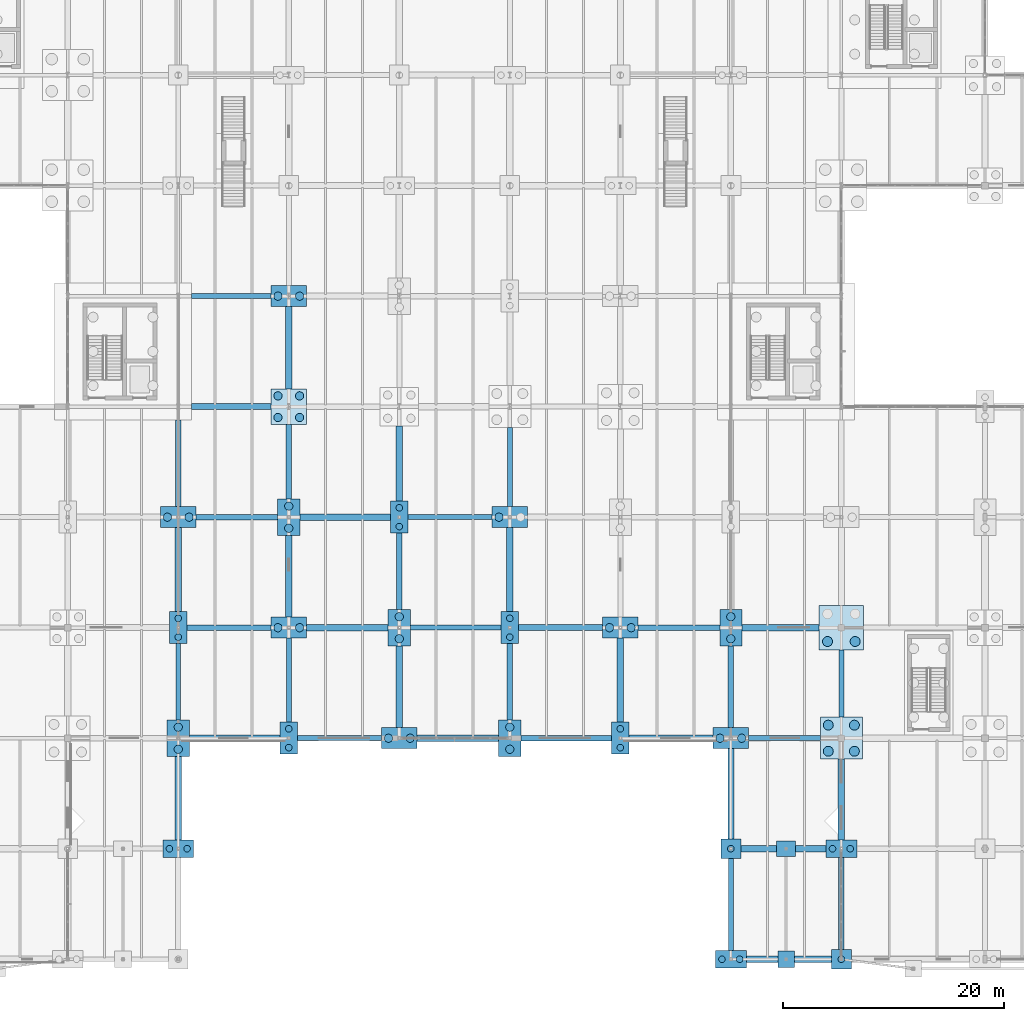
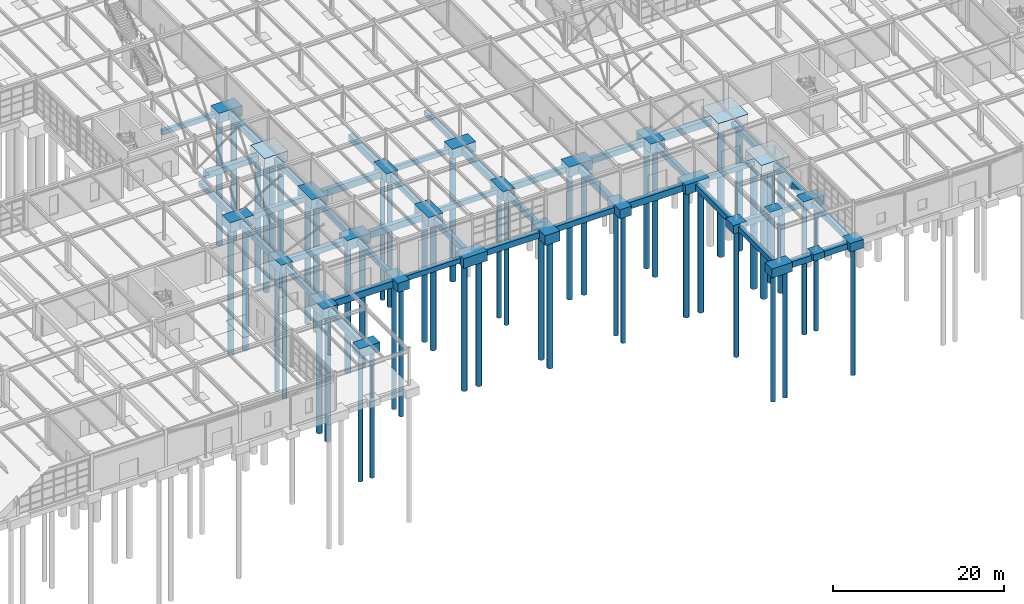
# One storey, part 3 of 145: 67 footings, 51 piles.
"""IFC4 building model written with IfcOpenShell, lengths in metres."""

from ifc_helpers import new_model, si_unit, direction, frame, origin, origin_2d, place, context, subcontext, project, spatial, rectangle, circle, extrude, material, material_profile, profile_set, type_object, element, save


model = new_model("IFC4")

# Units and contexts
model_context = context("Model", 3, precision=1e-05, world=origin(), true_north=direction((0.0, 1.0)))
body_context = subcontext(model_context, "Body", "Model", "MODEL_VIEW")
ifc_project = project(units=[si_unit("LENGTHUNIT", "METRE"), si_unit("AREAUNIT", "SQUARE_METRE"), si_unit("VOLUMEUNIT", "CUBIC_METRE"), si_unit("PLANEANGLEUNIT", "RADIAN"), si_unit("MASSUNIT", "GRAM", prefix="KILO"), si_unit("THERMODYNAMICTEMPERATUREUNIT", "KELVIN"), si_unit("POWERUNIT", "WATT")], contexts=[model_context])

# Site, building, storey
site_placement = place(None, origin())
site = spatial("IfcSite", under=ifc_project, at=site_placement, CompositionType="ELEMENT")
building_placement = place(site_placement, origin())
building = spatial("IfcBuilding", under=site, at=building_placement, Name="Korenveer Ferry Terminal", CompositionType="ELEMENT")
storey_placement = place(building_placement, origin())
storey = spatial("IfcBuildingStorey", under=building, at=storey_placement, Name="L00", CompositionType="ELEMENT", Elevation=0.0)

# Footings
ifc_material_1 = material(Name="Concrete C40/50", Category="concrete")
footing_type_1 = type_object("IfcFootingType", Name="STR-GB-01", PredefinedType="FOOTING_BEAM", material=ifc_material_1)
footing_1_placement = place(storey_placement, frame((98.10009765625, 20.0, -1.14990234375), z_axis=(0.0, 0.0, 1.0), x_axis=(1.0, 0.0, 0.0)))
element("IfcFooting", 1, at=footing_1_placement, inside=storey, type_object=footing_type_1, Name="Ground tie beam 32", PredefinedType="FOOTING_BEAM", context=body_context, shape_type="SweptSolid", body=[
    extrude(rectangle(XDim=8.199951171875, YDim=0.5, at=origin_2d()), origin(), (0.0, 0.0, 1.0), 0.800048828125),
])
footing_2_placement = place(storey_placement, frame((67.60009765625, 30.0, -1.14990234375), z_axis=(0.0, 0.0, 1.0), x_axis=(1.0, 0.0, 0.0)))
element("IfcFooting", 2, at=footing_2_placement, inside=storey, type_object=footing_type_1, Name="Ground tie beam 44", PredefinedType="FOOTING_BEAM", context=body_context, shape_type="SweptSolid", body=[
    extrude(rectangle(XDim=7.60009765625, YDim=0.5, at=origin_2d()), origin(), (0.0, 0.0, 1.0), 0.800048828125),
])
for number, where, z_axis, x_axis, name in (
    (3, (108.300048828125, 30.0, -1.14990234375), (0.0, 0.0, 1.0), (1.0, 0.0, 0.0), "Ground tie beam 48"),
    (4, (68.300048828125, 40.0, -1.14990234375), (0.0, 0.0, 1.0), (1.0, 0.0, 0.0), "Ground tie beam 60"),
):
    element("IfcFooting", number, at=place(storey_placement, frame(where, z_axis=z_axis, x_axis=x_axis)), inside=storey, type_object=footing_type_1, Name=name, PredefinedType="FOOTING_BEAM", context=body_context, shape_type="SweptSolid", body=[
        extrude(rectangle(XDim=7.39990234375, YDim=0.5, at=origin_2d()), origin(), (0.0, 0.0, 1.0), 0.800048828125),
    ])
footing_3_placement = place(storey_placement, frame((63.0, 44.875, -1.14990234375), z_axis=(0.0, 0.0, 1.0), x_axis=(1.0, 0.0, 0.0)))
element("IfcFooting", 5, at=footing_3_placement, inside=storey, type_object=footing_type_1, Name="Ground tie beam 200", PredefinedType="FOOTING_BEAM", context=body_context, shape_type="SweptSolid", body=[
    extrude(rectangle(XDim=0.5, YDim=7.85009765625, at=origin_2d()), origin(), (0.0, 0.0, 1.0), 0.800048828125),
])
footing_4_placement = place(storey_placement, frame((73.0, 45.02490234375, -1.14990234375), z_axis=(0.0, 0.0, 1.0), x_axis=(1.0, 0.0, 0.0)))
element("IfcFooting", 6, at=footing_4_placement, inside=storey, type_object=footing_type_1, Name="Ground tie beam 208", PredefinedType="FOOTING_BEAM", context=body_context, shape_type="SweptSolid", body=[
    extrude(rectangle(XDim=0.5, YDim=6.75, at=origin_2d()), origin(), (0.0, 0.0, 1.0), 0.800048828125),
])
for number, where, z_axis, x_axis, name in (
    (7, (83.0, 35.10009765625, -1.14990234375), (0.0, 0.0, 1.0), (1.0, 0.0, 0.0), "Ground tie beam 216"),
    (8, (93.0, 25.10009765625, -1.14990234375), (0.0, 0.0, 1.0), (1.0, 0.0, 0.0), "Ground tie beam 224"),
):
    element("IfcFooting", number, at=place(storey_placement, frame(where, z_axis=z_axis, x_axis=x_axis)), inside=storey, type_object=footing_type_1, Name=name, PredefinedType="FOOTING_BEAM", context=body_context, shape_type="SweptSolid", body=[
        extrude(rectangle(XDim=0.5, YDim=6.89990234375, at=origin_2d()), origin(), (0.0, 0.0, 1.0), 0.800048828125),
    ])
footing_5_placement = place(storey_placement, frame((113.0, 24.64990234375, -1.14990234375), z_axis=(0.0, 0.0, 1.0), x_axis=(1.0, 0.0, 0.0)))
element("IfcFooting", 9, at=footing_5_placement, inside=storey, type_object=footing_type_1, Name="Ground tie beam 244", PredefinedType="FOOTING_BEAM", context=body_context, shape_type="SweptSolid", body=[
    extrude(rectangle(XDim=0.5, YDim=7.39990234375, at=origin_2d()), origin(), (0.0, 0.0, 1.0), 0.800048828125),
])
footing_6_placement = place(storey_placement, frame((123.0, 5.050048828125, -1.14990234375), z_axis=(0.0, 0.0, 1.0), x_axis=(1.0, 0.0, 0.0)))
element("IfcFooting", 10, at=footing_6_placement, inside=storey, type_object=footing_type_1, Name="Ground tie beam 252", PredefinedType="FOOTING_BEAM", context=body_context, shape_type="SweptSolid", body=[
    extrude(rectangle(XDim=0.5, YDim=8.300048828125, at=origin_2d()), origin(), (0.0, 0.0, 1.0), 0.800048828125),
])
footing_type_2 = type_object("IfcFootingType", Name="STR-GB-02", PredefinedType="FOOTING_BEAM", material=ifc_material_1)
footing_7_placement = place(storey_placement, frame((68.10009765625, 20.0, -1.2998046875), z_axis=(0.0, 0.0, 1.0), x_axis=(1.0, 0.0, 0.0)))
element("IfcFooting", 11, at=footing_7_placement, inside=storey, type_object=footing_type_2, Name="Ground tie beam 29", PredefinedType="FOOTING_BEAM", context=body_context, shape_type="SweptSolid", body=[
    extrude(rectangle(XDim=8.199951171875, YDim=0.60009765625, at=origin_2d()), origin(), (0.0, 0.0, 1.0), 0.949951171875),
])
footing_8_placement = place(storey_placement, frame((107.60009765625, 20.0, -1.2998046875), z_axis=(0.0, 0.0, 1.0), x_axis=(1.0, 0.0, 0.0)))
element("IfcFooting", 12, at=footing_8_placement, inside=storey, type_object=footing_type_2, Name="Ground tie beam 33", PredefinedType="FOOTING_BEAM", context=body_context, shape_type="SweptSolid", body=[
    extrude(rectangle(XDim=7.60009765625, YDim=0.60009765625, at=origin_2d()), origin(), (0.0, 0.0, 1.0), 0.949951171875),
])
footing_9_placement = place(storey_placement, frame((78.300048828125, 30.0, -1.2998046875), z_axis=(0.0, 0.0, 1.0), x_axis=(1.0, 0.0, 0.0)))
element("IfcFooting", 13, at=footing_9_placement, inside=storey, type_object=footing_type_2, Name="Ground tie beam 45", PredefinedType="FOOTING_BEAM", context=body_context, shape_type="SweptSolid", body=[
    extrude(rectangle(XDim=7.39990234375, YDim=0.60009765625, at=origin_2d()), origin(), (0.0, 0.0, 1.0), 0.949951171875),
])
footing_10_placement = place(storey_placement, frame((117.5, 30.0, -1.2998046875), z_axis=(0.0, 0.0, 1.0), x_axis=(1.0, 0.0, 0.0)))
element("IfcFooting", 14, at=footing_10_placement, inside=storey, type_object=footing_type_2, Name="Ground tie beam 49", PredefinedType="FOOTING_BEAM", context=body_context, shape_type="SweptSolid", body=[
    extrude(rectangle(XDim=7.0, YDim=0.60009765625, at=origin_2d()), origin(), (0.0, 0.0, 1.0), 0.949951171875),
])
footing_11_placement = place(storey_placement, frame((78.10009765625, 40.0, -1.2998046875), z_axis=(0.0, 0.0, 1.0), x_axis=(1.0, 0.0, 0.0)))
element("IfcFooting", 15, at=footing_11_placement, inside=storey, type_object=footing_type_2, Name="Ground tie beam 61", PredefinedType="FOOTING_BEAM", context=body_context, shape_type="SweptSolid", body=[
    extrude(rectangle(XDim=8.199951171875, YDim=0.60009765625, at=origin_2d()), origin(), (0.0, 0.0, 1.0), 0.949951171875),
])
footing_12_placement = place(storey_placement, frame((63.0, 14.574951171875, -1.2998046875), z_axis=(0.0, 0.0, 1.0), x_axis=(1.0, 0.0, 0.0)))
element("IfcFooting", 16, at=footing_12_placement, inside=storey, type_object=footing_type_2, Name="Ground tie beam 197", PredefinedType="FOOTING_BEAM", context=body_context, shape_type="SweptSolid", body=[
    extrude(rectangle(XDim=0.60009765625, YDim=7.550048828125, at=origin_2d()), origin(), (0.0, 0.0, 1.0), 0.949951171875),
])
footing_13_placement = place(storey_placement, frame((73.0, 55.324951171875, -1.2998046875), z_axis=(0.0, 0.0, 1.0), x_axis=(1.0, 0.0, 0.0)))
element("IfcFooting", 17, at=footing_13_placement, inside=storey, type_object=footing_type_2, Name="Ground tie beam 209", PredefinedType="FOOTING_BEAM", context=body_context, shape_type="SweptSolid", body=[
    extrude(rectangle(XDim=0.60009765625, YDim=7.449951171875, at=origin_2d()), origin(), (0.0, 0.0, 1.0), 0.949951171875),
])
footing_14_placement = place(storey_placement, frame((83.0, 44.85009765625, -1.2998046875), z_axis=(0.0, 0.0, 1.0), x_axis=(1.0, 0.0, 0.0)))
element("IfcFooting", 18, at=footing_14_placement, inside=storey, type_object=footing_type_2, Name="Ground tie beam 217", PredefinedType="FOOTING_BEAM", context=body_context, shape_type="SweptSolid", body=[
    extrude(rectangle(XDim=0.60009765625, YDim=6.800048828125, at=origin_2d()), origin(), (0.0, 0.0, 1.0), 0.949951171875),
])
for number, where, z_axis, x_axis, name in (
    (19, (93.0, 35.25, -1.2998046875), (0.0, 0.0, 1.0), (1.0, 0.0, 0.0), "Ground tie beam 225"),
    (20, (103.0, 25.25, -1.2998046875), (0.0, 0.0, 1.0), (1.0, 0.0, 0.0), "Ground tie beam 233"),
):
    element("IfcFooting", number, at=place(storey_placement, frame(where, z_axis=z_axis, x_axis=x_axis)), inside=storey, type_object=footing_type_2, Name=name, PredefinedType="FOOTING_BEAM", context=body_context, shape_type="SweptSolid", body=[
        extrude(rectangle(XDim=0.60009765625, YDim=7.60009765625, at=origin_2d()), origin(), (0.0, 0.0, 1.0), 0.949951171875),
    ])
footing_15_placement = place(storey_placement, frame((123.0, 14.449951171875, -1.2998046875), z_axis=(0.0, 0.0, 1.0), x_axis=(1.0, 0.0, 0.0)))
element("IfcFooting", 21, at=footing_15_placement, inside=storey, type_object=footing_type_2, Name="Ground tie beam 253", PredefinedType="FOOTING_BEAM", context=body_context, shape_type="SweptSolid", body=[
    extrude(rectangle(XDim=0.60009765625, YDim=7.300048828125, at=origin_2d()), origin(), (0.0, 0.0, 1.0), 0.949951171875),
])
footing_type_3 = type_object("IfcFootingType", Name="STR-GB-03", PredefinedType="FOOTING_BEAM", material=ifc_material_1)
footing_16_placement = place(storey_placement, frame((77.60009765625, 20.0, -1.0498046875), z_axis=(0.0, 0.0, 1.0), x_axis=(1.0, 0.0, 0.0)))
element("IfcFooting", 22, at=footing_16_placement, inside=storey, type_object=footing_type_3, Name="Ground tie beam 30", PredefinedType="FOOTING_BEAM", context=body_context, shape_type="SweptSolid", body=[
    extrude(rectangle(XDim=7.60009765625, YDim=0.449951171875, at=origin_2d()), origin(), (0.0, 0.0, 1.0), 0.699951171875),
])
footing_17_placement = place(storey_placement, frame((117.85009765625, 20.0, -1.0498046875), z_axis=(0.0, 0.0, 1.0), x_axis=(1.0, 0.0, 0.0)))
element("IfcFooting", 23, at=footing_17_placement, inside=storey, type_object=footing_type_3, Name="Ground tie beam 34", PredefinedType="FOOTING_BEAM", context=body_context, shape_type="SweptSolid", body=[
    extrude(rectangle(XDim=6.5, YDim=0.449951171875, at=origin_2d()), origin(), (0.0, 0.0, 1.0), 0.699951171875),
])
footing_18_placement = place(storey_placement, frame((88.10009765625, 30.0, -1.0498046875), z_axis=(0.0, 0.0, 1.0), x_axis=(1.0, 0.0, 0.0)))
element("IfcFooting", 24, at=footing_18_placement, inside=storey, type_object=footing_type_3, Name="Ground tie beam 46", PredefinedType="FOOTING_BEAM", context=body_context, shape_type="SweptSolid", body=[
    extrude(rectangle(XDim=8.199951171875, YDim=0.449951171875, at=origin_2d()), origin(), (0.0, 0.0, 1.0), 0.699951171875),
])
footing_19_placement = place(storey_placement, frame((87.60009765625, 40.0, -1.0498046875), z_axis=(0.0, 0.0, 1.0), x_axis=(1.0, 0.0, 0.0)))
element("IfcFooting", 25, at=footing_19_placement, inside=storey, type_object=footing_type_3, Name="Ground tie beam 62", PredefinedType="FOOTING_BEAM", context=body_context, shape_type="SweptSolid", body=[
    extrude(rectangle(XDim=7.60009765625, YDim=0.449951171875, at=origin_2d()), origin(), (0.0, 0.0, 1.0), 0.699951171875),
])
footing_20_placement = place(storey_placement, frame((67.800048828125, 60.0, -1.0498046875), z_axis=(0.0, 0.0, 1.0), x_axis=(1.0, 0.0, 0.0)))
element("IfcFooting", 26, at=footing_20_placement, inside=storey, type_object=footing_type_3, Name="Ground tie beam 86", PredefinedType="FOOTING_BEAM", context=body_context, shape_type="SweptSolid", body=[
    extrude(rectangle(XDim=7.199951171875, YDim=0.449951171875, at=origin_2d()), origin(), (0.0, 0.0, 1.0), 0.699951171875),
])
footing_21_placement = place(storey_placement, frame((63.0, 25.10009765625, -1.0498046875), z_axis=(0.0, 0.0, 1.0), x_axis=(1.0, 0.0, 0.0)))
element("IfcFooting", 27, at=footing_21_placement, inside=storey, type_object=footing_type_3, Name="Ground tie beam 198", PredefinedType="FOOTING_BEAM", context=body_context, shape_type="SweptSolid", body=[
    extrude(rectangle(XDim=0.449951171875, YDim=6.89990234375, at=origin_2d()), origin(), (0.0, 0.0, 1.0), 0.699951171875),
])
footing_22_placement = place(storey_placement, frame((73.0, 25.25, -1.0498046875), z_axis=(0.0, 0.0, 1.0), x_axis=(1.0, 0.0, 0.0)))
element("IfcFooting", 28, at=footing_22_placement, inside=storey, type_object=footing_type_3, Name="Ground tie beam 206", PredefinedType="FOOTING_BEAM", context=body_context, shape_type="SweptSolid", body=[
    extrude(rectangle(XDim=0.449951171875, YDim=7.60009765625, at=origin_2d()), origin(), (0.0, 0.0, 1.0), 0.699951171875),
])
footing_23_placement = place(storey_placement, frame((93.0, 44.52490234375, -1.0498046875), z_axis=(0.0, 0.0, 1.0), x_axis=(1.0, 0.0, 0.0)))
element("IfcFooting", 29, at=footing_23_placement, inside=storey, type_object=footing_type_3, Name="Ground tie beam 226", PredefinedType="FOOTING_BEAM", context=body_context, shape_type="SweptSolid", body=[
    extrude(rectangle(XDim=0.449951171875, YDim=7.14990234375, at=origin_2d()), origin(), (0.0, 0.0, 1.0), 0.699951171875),
])
footing_24_placement = place(storey_placement, frame((113.0, 4.949951171875, -1.0498046875), z_axis=(0.0, 0.0, 1.0), x_axis=(1.0, 0.0, 0.0)))
element("IfcFooting", 30, at=footing_24_placement, inside=storey, type_object=footing_type_3, Name="Ground tie beam 242", PredefinedType="FOOTING_BEAM", context=body_context, shape_type="SweptSolid", body=[
    extrude(rectangle(XDim=0.449951171875, YDim=8.300048828125, at=origin_2d()), origin(), (0.0, 0.0, 1.0), 0.699951171875),
])
footing_25_placement = place(storey_placement, frame((123.0, 24.949951171875, -1.0498046875), z_axis=(0.0, 0.0, 1.0), x_axis=(1.0, 0.0, 0.0)))
element("IfcFooting", 31, at=footing_25_placement, inside=storey, type_object=footing_type_3, Name="Ground tie beam 254", PredefinedType="FOOTING_BEAM", context=body_context, shape_type="SweptSolid", body=[
    extrude(rectangle(XDim=0.449951171875, YDim=6.10009765625, at=origin_2d()), origin(), (0.0, 0.0, 1.0), 0.699951171875),
])
footing_type_4 = type_object("IfcFootingType", Name="STR-GB-04", PredefinedType="FOOTING_BEAM", material=ifc_material_1)
for number, where, z_axis, x_axis, name in (
    (32, (118.25, 0.0, -1.199951171875), (0.0, 0.0, 1.0), (1.0, 0.0, 0.0), "Ground tie beam 7"),
    (33, (117.75, 10.0, -1.199951171875), (0.0, 0.0, 1.0), (1.0, 0.0, 0.0), "Ground tie beam 19"),
):
    element("IfcFooting", number, at=place(storey_placement, frame(where, z_axis=z_axis, x_axis=x_axis)), inside=storey, type_object=footing_type_4, Name=name, PredefinedType="FOOTING_BEAM", context=body_context, shape_type="SweptSolid", body=[
        extrude(rectangle(XDim=7.699951171875, YDim=0.550048828125, at=origin_2d()), origin(), (0.0, 0.0, 1.0), 0.85009765625),
    ])
footing_26_placement = place(storey_placement, frame((88.300048828125, 20.0, -1.199951171875), z_axis=(0.0, 0.0, 1.0), x_axis=(1.0, 0.0, 0.0)))
element("IfcFooting", 34, at=footing_26_placement, inside=storey, type_object=footing_type_4, Name="Ground tie beam 31", PredefinedType="FOOTING_BEAM", context=body_context, shape_type="SweptSolid", body=[
    extrude(rectangle(XDim=7.39990234375, YDim=0.550048828125, at=origin_2d()), origin(), (0.0, 0.0, 1.0), 0.85009765625),
])
footing_27_placement = place(storey_placement, frame((97.60009765625, 30.0, -1.199951171875), z_axis=(0.0, 0.0, 1.0), x_axis=(1.0, 0.0, 0.0)))
element("IfcFooting", 35, at=footing_27_placement, inside=storey, type_object=footing_type_4, Name="Ground tie beam 47", PredefinedType="FOOTING_BEAM", context=body_context, shape_type="SweptSolid", body=[
    extrude(rectangle(XDim=7.60009765625, YDim=0.550048828125, at=origin_2d()), origin(), (0.0, 0.0, 1.0), 0.85009765625),
])
footing_28_placement = place(storey_placement, frame((67.800048828125, 50.0, -1.199951171875), z_axis=(0.0, 0.0, 1.0), x_axis=(1.0, 0.0, 0.0)))
element("IfcFooting", 36, at=footing_28_placement, inside=storey, type_object=footing_type_4, Name="Ground tie beam 75", PredefinedType="FOOTING_BEAM", context=body_context, shape_type="SweptSolid", body=[
    extrude(rectangle(XDim=7.199951171875, YDim=0.550048828125, at=origin_2d()), origin(), (0.0, 0.0, 1.0), 0.85009765625),
])
footing_29_placement = place(storey_placement, frame((63.0, 35.25, -1.199951171875), z_axis=(0.0, 0.0, 1.0), x_axis=(1.0, 0.0, 0.0)))
element("IfcFooting", 37, at=footing_29_placement, inside=storey, type_object=footing_type_4, Name="Ground tie beam 199", PredefinedType="FOOTING_BEAM", context=body_context, shape_type="SweptSolid", body=[
    extrude(rectangle(XDim=0.550048828125, YDim=7.60009765625, at=origin_2d()), origin(), (0.0, 0.0, 1.0), 0.85009765625),
])
for number, where, z_axis, x_axis, name in (
    (38, (73.0, 34.64990234375, -1.199951171875), (0.0, 0.0, 1.0), (1.0, 0.0, 0.0), "Ground tie beam 207"),
    (39, (83.0, 24.64990234375, -1.199951171875), (0.0, 0.0, 1.0), (1.0, 0.0, 0.0), "Ground tie beam 215"),
):
    element("IfcFooting", number, at=place(storey_placement, frame(where, z_axis=z_axis, x_axis=x_axis)), inside=storey, type_object=footing_type_4, Name=name, PredefinedType="FOOTING_BEAM", context=body_context, shape_type="SweptSolid", body=[
        extrude(rectangle(XDim=0.550048828125, YDim=7.39990234375, at=origin_2d()), origin(), (0.0, 0.0, 1.0), 0.85009765625),
    ])
footing_30_placement = place(storey_placement, frame((113.0, 14.97509765625, -1.199951171875), z_axis=(0.0, 0.0, 1.0), x_axis=(1.0, 0.0, 0.0)))
element("IfcFooting", 40, at=footing_30_placement, inside=storey, type_object=footing_type_4, Name="Ground tie beam 243", PredefinedType="FOOTING_BEAM", context=body_context, shape_type="SweptSolid", body=[
    extrude(rectangle(XDim=0.550048828125, YDim=8.14990234375, at=origin_2d()), origin(), (0.0, 0.0, 1.0), 0.85009765625),
])
ifc_material_2 = material(Name="Concrete C45/55", Category="concrete")
footing_type_5 = type_object("IfcFootingType", Name="STR-PC-01", PredefinedType="PILE_CAP", material=ifc_material_2)
for number, where, z_axis, x_axis, name in (
    (41, (113.0, 10.0, -1.2001953125), (0.0, 0.0, 1.0), (1.0, 0.0, 0.0), "Pile cap PC-01 at (113,10)"),
    (42, (123.0, 0.0, -1.2001953125), (0.0, 0.0, 1.0), (1.0, 0.0, 0.0), "Pile cap PC-01 at (123,0)"),
):
    element("IfcFooting", number, at=place(storey_placement, frame(where, z_axis=z_axis, x_axis=x_axis)), inside=storey, type_object=footing_type_5, Name=name, PredefinedType="PILE_CAP", context=body_context, shape_type="SweptSolid", body=[
        extrude(rectangle(XDim=1.800048828125, YDim=1.800048828125, at=origin_2d()), origin(), (0.0, 0.0, 1.0), 1.199951171875),
    ])
footing_type_6 = type_object("IfcFootingType", Name="STR-PC-02", PredefinedType="PILE_CAP", material=ifc_material_2)
for number, where, z_axis, x_axis, name in (
    (43, (63.0, 10.0, -1.2998046875), (0.0, 0.0, 1.0), (1.0, 0.0, 0.0), "Pile cap PC-02 at (63,10)"),
    (44, (113.0, 0.0, -1.2998046875), (0.0, 0.0, 1.0), (1.0, 0.0, 0.0), "Pile cap PC-02 at (113,0)"),
    (45, (123.0, 10.0, -1.2998046875), (0.0, 0.0, 1.0), (1.0, 0.0, 0.0), "Pile cap PC-02 at (123,10)"),
):
    element("IfcFooting", number, at=place(storey_placement, frame(where, z_axis=z_axis, x_axis=x_axis)), inside=storey, type_object=footing_type_6, Name=name, PredefinedType="PILE_CAP", context=body_context, shape_type="SweptSolid", body=[
        extrude(rectangle(XDim=2.800048828125, YDim=1.60009765625, at=origin_2d()), origin(), (0.0, 0.0, 1.0), 1.300048828125),
    ])
footing_type_7 = type_object("IfcFootingType", Name="STR-PC-03", PredefinedType="PILE_CAP", material=ifc_material_2)
for number, where, z_axis, x_axis, name in (
    (46, (63.0, 30.0, -1.2998046875), (0.0, 0.0, 1.0), (1.0, 0.0, 0.0), "Pile cap PC-03 at (63,30)"),
    (47, (73.0, 20.0, -1.2998046875), (0.0, 0.0, 1.0), (1.0, 0.0, 0.0), "Pile cap PC-03 at (73,20)"),
    (48, (83.0, 40.0, -1.2998046875), (0.0, 0.0, 1.0), (1.0, 0.0, 0.0), "Pile cap PC-03 at (83,40)"),
    (49, (93.0, 30.0, -1.2998046875), (0.0, 0.0, 1.0), (1.0, 0.0, 0.0), "Pile cap PC-03 at (93,30)"),
    (50, (103.0, 20.0, -1.2998046875), (0.0, 0.0, 1.0), (1.0, 0.0, 0.0), "Pile cap PC-03 at (103,20)"),
):
    element("IfcFooting", number, at=place(storey_placement, frame(where, z_axis=z_axis, x_axis=x_axis)), inside=storey, type_object=footing_type_7, Name=name, PredefinedType="PILE_CAP", context=body_context, shape_type="SweptSolid", body=[
        extrude(rectangle(XDim=1.60009765625, YDim=2.89990234375, at=origin_2d()), origin(), (0.0, 0.0, 1.0), 1.300048828125),
    ])
footing_type_8 = type_object("IfcFootingType", Name="STR-PC-04", PredefinedType="PILE_CAP", material=ifc_material_2)
for number, where, z_axis, x_axis, name in (
    (51, (63.0, 40.0, -1.39990234375), (0.0, 0.0, 1.0), (1.0, 0.0, 0.0), "Pile cap PC-04 at (63,40)"),
    (52, (73.0, 30.0, -1.39990234375), (0.0, 0.0, 1.0), (1.0, 0.0, 0.0), "Pile cap PC-04 at (73,30)"),
    (53, (73.0, 60.0, -1.39990234375), (0.0, 0.0, 1.0), (1.0, 0.0, 0.0), "Pile cap PC-04 at (73,60)"),
    (54, (83.0, 20.0, -1.39990234375), (0.0, 0.0, 1.0), (1.0, 0.0, 0.0), "Pile cap PC-04 at (83,20)"),
    (55, (93.0, 40.0, -1.39990234375), (0.0, 0.0, 1.0), (1.0, 0.0, 0.0), "Pile cap PC-04 at (93,40)"),
    (56, (103.0, 30.0, -1.39990234375), (0.0, 0.0, 1.0), (1.0, 0.0, 0.0), "Pile cap PC-04 at (103,30)"),
    (57, (113.0, 20.0, -1.39990234375), (0.0, 0.0, 1.0), (1.0, 0.0, 0.0), "Pile cap PC-04 at (113,20)"),
):
    element("IfcFooting", number, at=place(storey_placement, frame(where, z_axis=z_axis, x_axis=x_axis)), inside=storey, type_object=footing_type_8, Name=name, PredefinedType="PILE_CAP", context=body_context, shape_type="SweptSolid", body=[
        extrude(rectangle(XDim=3.199951171875, YDim=1.89990234375, at=origin_2d()), origin(), (0.0, 0.0, 1.0), 1.39990234375),
    ])
footing_type_9 = type_object("IfcFootingType", Name="STR-PC-05", PredefinedType="PILE_CAP", material=ifc_material_2)
for number, where, z_axis, x_axis, name in (
    (58, (63.0, 20.0, -1.39990234375), (0.0, 0.0, 1.0), (1.0, 0.0, 0.0), "Pile cap PC-05 at (63,20)"),
    (59, (73.0, 40.0, -1.39990234375), (0.0, 0.0, 1.0), (1.0, 0.0, 0.0), "Pile cap PC-05 at (73,40)"),
    (60, (83.0, 30.0, -1.39990234375), (0.0, 0.0, 1.0), (1.0, 0.0, 0.0), "Pile cap PC-05 at (83,30)"),
    (61, (93.0, 20.0, -1.39990234375), (0.0, 0.0, 1.0), (1.0, 0.0, 0.0), "Pile cap PC-05 at (93,20)"),
    (62, (113.0, 30.0, -1.39990234375), (0.0, 0.0, 1.0), (1.0, 0.0, 0.0), "Pile cap PC-05 at (113,30)"),
):
    element("IfcFooting", number, at=place(storey_placement, frame(where, z_axis=z_axis, x_axis=x_axis)), inside=storey, type_object=footing_type_9, Name=name, PredefinedType="PILE_CAP", context=body_context, shape_type="SweptSolid", body=[
        extrude(rectangle(XDim=2.0, YDim=3.300048828125, at=origin_2d()), origin(), (0.0, 0.0, 1.0), 1.39990234375),
    ])
footing_type_10 = type_object("IfcFootingType", Name="STR-PC-06", PredefinedType="PILE_CAP", material=ifc_material_2)
footing_31_placement = place(storey_placement, frame((73.0, 50.0, -1.39990234375), z_axis=(0.0, 0.0, 1.0), x_axis=(1.0, 0.0, 0.0)))
element("IfcFooting", 63, at=footing_31_placement, inside=storey, type_object=footing_type_10, Name="Pile cap PC-06 at (73,50)", PredefinedType="PILE_CAP", context=body_context, shape_type="SweptSolid", body=[
    extrude(rectangle(XDim=3.199951171875, YDim=3.199951171875, at=origin_2d()), origin(), (0.0, 0.0, 1.0), 1.39990234375),
])
footing_type_11 = type_object("IfcFootingType", Name="STR-PC-08", PredefinedType="PILE_CAP", material=ifc_material_2)
footing_32_placement = place(storey_placement, frame((123.0, 20.0, -1.5), z_axis=(0.0, 0.0, 1.0), x_axis=(1.0, 0.0, 0.0)))
element("IfcFooting", 64, at=footing_32_placement, inside=storey, type_object=footing_type_11, Name="Pile cap PC-08 at (123,20)", PredefinedType="PILE_CAP", context=body_context, shape_type="SweptSolid", body=[
    extrude(rectangle(XDim=3.800048828125, YDim=3.800048828125, at=origin_2d()), origin(), (0.0, 0.0, 1.0), 1.5),
])
footing_type_12 = type_object("IfcFootingType", Name="STR-PC-09", PredefinedType="PILE_CAP", material=ifc_material_2)
footing_33_placement = place(storey_placement, frame((123.0, 30.0, -1.5498046875), z_axis=(0.0, 0.0, 1.0), x_axis=(1.0, 0.0, 0.0)))
element("IfcFooting", 65, at=footing_33_placement, inside=storey, type_object=footing_type_12, Name="Pile cap PC-09 at (123,30)", PredefinedType="PILE_CAP", context=body_context, shape_type="SweptSolid", body=[
    extrude(rectangle(XDim=4.0, YDim=4.0, at=origin_2d()), origin(), (0.0, 0.0, 1.0), 1.550048828125),
])
footing_type_13 = type_object("IfcFootingType", Name="STR-PF-01", PredefinedType="PAD_FOOTING", material=ifc_material_2)
footing_34_placement = place(storey_placement, frame((118.0, 0.0, -0.89990234375), z_axis=(0.0, 0.0, 1.0), x_axis=(1.0, 0.0, 0.0)))
element("IfcFooting", 66, at=footing_34_placement, inside=storey, type_object=footing_type_13, Name="Colonnade pad footing 5", PredefinedType="PAD_FOOTING", context=body_context, shape_type="SweptSolid", body=[
    extrude(rectangle(XDim=1.5, YDim=1.5, at=origin_2d()), origin(), (0.0, 0.0, 1.0), 0.89990234375),
])
footing_type_14 = type_object("IfcFootingType", Name="STR-PF-02", PredefinedType="PAD_FOOTING", material=ifc_material_2)
footing_35_placement = place(storey_placement, frame((118.0, 10.0, -0.9501953125), z_axis=(0.0, 0.0, 1.0), x_axis=(1.0, 0.0, 0.0)))
element("IfcFooting", 67, at=footing_35_placement, inside=storey, type_object=footing_type_14, Name="Colonnade pad footing 6", PredefinedType="PAD_FOOTING", context=body_context, shape_type="SweptSolid", body=[
    extrude(rectangle(XDim=1.699951171875, YDim=1.39990234375, at=origin_2d()), origin(), (0.0, 0.0, 1.0), 0.949951171875),
])

# Piles
ifc_material_profile_1 = material_profile(ifc_material_1, circle(Radius=0.300048828125, at=origin_2d()), Name="PILE D600")
ifc_profile_set_1 = profile_set([ifc_material_profile_1], Name="Concrete C40/50")
pile_type_1 = type_object("IfcPileType", Name="STR-PL-D600", PredefinedType="DRIVEN", material=ifc_profile_set_1)
for number, where, z_axis, x_axis, name in (
    (68, (62.199951171875, 10.0, -1.199951171875), (0.0, 0.0, -1.0), (1.0, 0.0, 0.0), "Foundation pile 234"),
    (69, (63.800048828125, 10.0, -1.199951171875), (0.0, 0.0, -1.0), (1.0, 0.0, 0.0), "Foundation pile 235"),
    (70, (63.0, 29.14990234375, -1.199951171875), (0.0, 0.0, -1.0), (1.0, 0.0, 0.0), "Foundation pile 238"),
    (71, (63.0, 30.85009765625, -1.199951171875), (0.0, 0.0, -1.0), (1.0, 0.0, 0.0), "Foundation pile 239"),
    (72, (73.0, 19.14990234375, -1.199951171875), (0.0, 0.0, -1.0), (1.0, 0.0, 0.0), "Foundation pile 255"),
    (73, (73.0, 20.85009765625, -1.199951171875), (0.0, 0.0, -1.0), (1.0, 0.0, 0.0), "Foundation pile 256"),
    (74, (83.0, 39.14990234375, -1.199951171875), (0.0, 0.0, -1.0), (1.0, 0.0, 0.0), "Foundation pile 282"),
    (75, (83.0, 40.85009765625, -1.199951171875), (0.0, 0.0, -1.0), (1.0, 0.0, 0.0), "Foundation pile 283"),
    (76, (93.0, 29.14990234375, -1.199951171875), (0.0, 0.0, -1.0), (1.0, 0.0, 0.0), "Foundation pile 305"),
    (77, (93.0, 30.85009765625, -1.199951171875), (0.0, 0.0, -1.0), (1.0, 0.0, 0.0), "Foundation pile 306"),
    (78, (103.0, 19.14990234375, -1.199951171875), (0.0, 0.0, -1.0), (1.0, 0.0, 0.0), "Foundation pile 326"),
    (79, (103.0, 20.85009765625, -1.199951171875), (0.0, 0.0, -1.0), (1.0, 0.0, 0.0), "Foundation pile 327"),
    (80, (112.199951171875, 0.0, -1.199951171875), (0.0, 0.0, -1.0), (1.0, 0.0, 0.0), "Foundation pile 351"),
    (81, (113.800048828125, 0.0, -1.199951171875), (0.0, 0.0, -1.0), (1.0, 0.0, 0.0), "Foundation pile 352"),
):
    element("IfcPile", number, at=place(storey_placement, frame(where, z_axis=z_axis, x_axis=x_axis)), inside=storey, type_object=pile_type_1, Name=name, PredefinedType="DRIVEN", context=body_context, shape_type="SweptSolid", body=[
        extrude(circle(Radius=0.300048828125, at=origin_2d()), origin(), (0.0, 0.0, 1.0), 18.300048828125),
    ])
for number, where, z_axis, x_axis, name in (
    (82, (113.0, 10.0, -1.10009765625), (0.0, 0.0, -1.0), (1.0, 0.0, 0.0), "Foundation pile 353"),
    (83, (123.0, 0.0, -1.10009765625), (0.0, 0.0, -1.0), (1.0, 0.0, 0.0), "Foundation pile 371"),
):
    element("IfcPile", number, at=place(storey_placement, frame(where, z_axis=z_axis, x_axis=x_axis)), inside=storey, type_object=pile_type_1, Name=name, PredefinedType="DRIVEN", context=body_context, shape_type="SweptSolid", body=[
        extrude(circle(Radius=0.300048828125, at=origin_2d()), origin(), (0.0, 0.0, 1.0), 18.39990234375),
    ])
for number, where, z_axis, x_axis, name in (
    (84, (122.199951171875, 10.0, -1.199951171875), (0.0, 0.0, -1.0), (1.0, 0.0, 0.0), "Foundation pile 372"),
    (85, (123.800048828125, 10.0, -1.199951171875), (0.0, 0.0, -1.0), (1.0, 0.0, 0.0), "Foundation pile 373"),
):
    element("IfcPile", number, at=place(storey_placement, frame(where, z_axis=z_axis, x_axis=x_axis)), inside=storey, type_object=pile_type_1, Name=name, PredefinedType="DRIVEN", context=body_context, shape_type="SweptSolid", body=[
        extrude(circle(Radius=0.300048828125, at=origin_2d()), origin(), (0.0, 0.0, 1.0), 18.300048828125),
    ])
ifc_material_profile_2 = material_profile(ifc_material_1, circle(Radius=0.375, at=origin_2d()), Name="PILE D750")
ifc_profile_set_2 = profile_set([ifc_material_profile_2], Name="Concrete C40/50")
pile_type_2 = type_object("IfcPileType", Name="STR-PL-D750", PredefinedType="BORED", material=ifc_profile_set_2)
for number, where, z_axis, x_axis, name in (
    (86, (63.0, 19.0, -1.300048828125), (0.0, 0.0, -1.0), (1.0, 0.0, 0.0), "Foundation pile 236"),
    (87, (63.0, 21.0, -1.300048828125), (0.0, 0.0, -1.0), (1.0, 0.0, 0.0), "Foundation pile 237"),
    (88, (62.02001953125, 40.0, -1.300048828125), (0.0, 0.0, -1.0), (1.0, 0.0, 0.0), "Foundation pile 240"),
    (89, (63.97998046875, 40.0, -1.300048828125), (0.0, 0.0, -1.0), (1.0, 0.0, 0.0), "Foundation pile 241"),
    (90, (72.02001953125, 30.0, -1.300048828125), (0.0, 0.0, -1.0), (1.0, 0.0, 0.0), "Foundation pile 257"),
    (91, (73.97998046875, 30.0, -1.300048828125), (0.0, 0.0, -1.0), (1.0, 0.0, 0.0), "Foundation pile 258"),
    (92, (73.0, 39.0, -1.300048828125), (0.0, 0.0, -1.0), (1.0, 0.0, 0.0), "Foundation pile 259"),
    (93, (73.0, 41.0, -1.300048828125), (0.0, 0.0, -1.0), (1.0, 0.0, 0.0), "Foundation pile 260"),
    (94, (72.02001953125, 49.02001953125, -1.300048828125), (0.0, 0.0, -1.0), (1.0, 0.0, 0.0), "Foundation pile 261"),
    (95, (73.97998046875, 49.02001953125, -1.300048828125), (0.0, 0.0, -1.0), (1.0, 0.0, 0.0), "Foundation pile 262"),
    (96, (72.02001953125, 50.97998046875, -1.300048828125), (0.0, 0.0, -1.0), (1.0, 0.0, 0.0), "Foundation pile 263"),
    (97, (73.97998046875, 50.97998046875, -1.300048828125), (0.0, 0.0, -1.0), (1.0, 0.0, 0.0), "Foundation pile 264"),
    (98, (72.02001953125, 60.0, -1.300048828125), (0.0, 0.0, -1.0), (1.0, 0.0, 0.0), "Foundation pile 265"),
    (99, (73.97998046875, 60.0, -1.300048828125), (0.0, 0.0, -1.0), (1.0, 0.0, 0.0), "Foundation pile 266"),
    (100, (82.02001953125, 20.0, -1.300048828125), (0.0, 0.0, -1.0), (1.0, 0.0, 0.0), "Foundation pile 278"),
    (101, (83.97998046875, 20.0, -1.300048828125), (0.0, 0.0, -1.0), (1.0, 0.0, 0.0), "Foundation pile 279"),
    (102, (83.0, 29.0, -1.300048828125), (0.0, 0.0, -1.0), (1.0, 0.0, 0.0), "Foundation pile 280"),
    (103, (83.0, 31.0, -1.300048828125), (0.0, 0.0, -1.0), (1.0, 0.0, 0.0), "Foundation pile 281"),
    (104, (93.0, 19.0, -1.300048828125), (0.0, 0.0, -1.0), (1.0, 0.0, 0.0), "Foundation pile 303"),
    (105, (93.0, 21.0, -1.300048828125), (0.0, 0.0, -1.0), (1.0, 0.0, 0.0), "Foundation pile 304"),
    (106, (92.02001953125, 40.0, -1.300048828125), (0.0, 0.0, -1.0), (1.0, 0.0, 0.0), "Foundation pile 307"),
    (107, (102.02001953125, 30.0, -1.300048828125), (0.0, 0.0, -1.0), (1.0, 0.0, 0.0), "Foundation pile 328"),
    (108, (103.97998046875, 30.0, -1.300048828125), (0.0, 0.0, -1.0), (1.0, 0.0, 0.0), "Foundation pile 329"),
    (109, (112.02001953125, 20.0, -1.300048828125), (0.0, 0.0, -1.0), (1.0, 0.0, 0.0), "Foundation pile 354"),
    (110, (113.97998046875, 20.0, -1.300048828125), (0.0, 0.0, -1.0), (1.0, 0.0, 0.0), "Foundation pile 355"),
    (111, (113.0, 29.0, -1.300048828125), (0.0, 0.0, -1.0), (1.0, 0.0, 0.0), "Foundation pile 356"),
    (112, (113.0, 31.0, -1.300048828125), (0.0, 0.0, -1.0), (1.0, 0.0, 0.0), "Foundation pile 357"),
):
    element("IfcPile", number, at=place(storey_placement, frame(where, z_axis=z_axis, x_axis=x_axis)), inside=storey, type_object=pile_type_2, Name=name, PredefinedType="BORED", context=body_context, shape_type="SweptSolid", body=[
        extrude(circle(Radius=0.375, at=origin_2d()), origin(), (0.0, 0.0, 1.0), 18.199951171875),
    ])
ifc_material_profile_3 = material_profile(ifc_material_1, circle(Radius=0.449951171875, at=origin_2d()), Name="PILE D900")
ifc_profile_set_3 = profile_set([ifc_material_profile_3], Name="Concrete C40/50")
pile_type_3 = type_object("IfcPileType", Name="STR-PL-D900", PredefinedType="BORED", material=ifc_profile_set_3)
for number, where, z_axis, x_axis, name in (
    (113, (121.820068359375, 18.820068359375, -1.39990234375), (0.0, 0.0, -1.0), (1.0, 0.0, 0.0), "Foundation pile 374"),
    (114, (124.179931640625, 18.820068359375, -1.39990234375), (0.0, 0.0, -1.0), (1.0, 0.0, 0.0), "Foundation pile 375"),
    (115, (121.820068359375, 21.179931640625, -1.39990234375), (0.0, 0.0, -1.0), (1.0, 0.0, 0.0), "Foundation pile 376"),
    (116, (124.179931640625, 21.179931640625, -1.39990234375), (0.0, 0.0, -1.0), (1.0, 0.0, 0.0), "Foundation pile 377"),
):
    element("IfcPile", number, at=place(storey_placement, frame(where, z_axis=z_axis, x_axis=x_axis)), inside=storey, type_object=pile_type_3, Name=name, PredefinedType="BORED", context=body_context, shape_type="SweptSolid", body=[
        extrude(circle(Radius=0.449951171875, at=origin_2d()), origin(), (0.0, 0.0, 1.0), 18.10009765625),
    ])
for number, where, z_axis, x_axis, name in (
    (117, (121.75, 28.75, -1.449951171875), (0.0, 0.0, -1.0), (1.0, 0.0, 0.0), "Foundation pile 378"),
    (118, (124.25, 28.75, -1.449951171875), (0.0, 0.0, -1.0), (1.0, 0.0, 0.0), "Foundation pile 379"),
):
    element("IfcPile", number, at=place(storey_placement, frame(where, z_axis=z_axis, x_axis=x_axis)), inside=storey, type_object=pile_type_3, Name=name, PredefinedType="BORED", context=body_context, shape_type="SweptSolid", body=[
        extrude(circle(Radius=0.449951171875, at=origin_2d()), origin(), (0.0, 0.0, 1.0), 18.050048828125),
    ])

save(model, "model.ifc")
